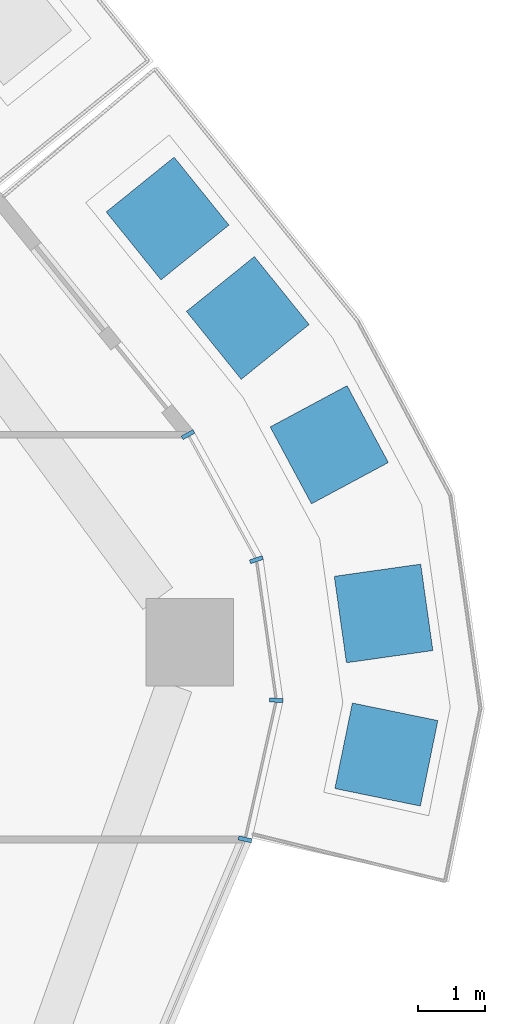
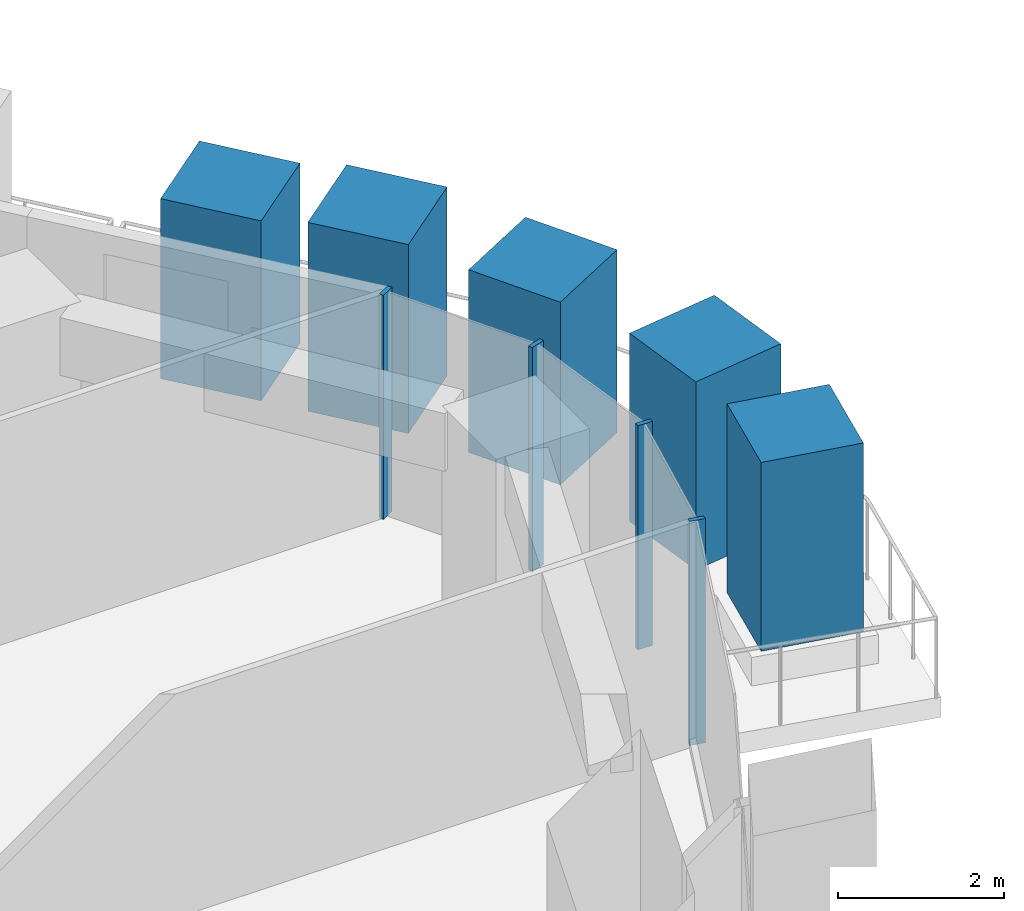
# One storey, part 9 of 24: 9 members, 1 element without a shape of its own.
"""IFC4 building model written with IfcOpenShell, lengths in metres."""

from ifc_helpers import new_model, si_unit, direction, frame, origin, origin_2d, place, context, subcontext, project, spatial, rectangle, extrude, material, layer, layer_set, material_profile, profile_set, type_object, element, aggregate, save


model = new_model("IFC4")

# Units and contexts
model_context = context("Model", 3, precision=1e-05, world=origin(), true_north=direction((0.0, 1.0)))
body_context = subcontext(model_context, "Body", "Model", "MODEL_VIEW")
ifc_project = project(units=[si_unit("LENGTHUNIT", "METRE"), si_unit("AREAUNIT", "SQUARE_METRE"), si_unit("VOLUMEUNIT", "CUBIC_METRE"), si_unit("PLANEANGLEUNIT", "RADIAN"), si_unit("MASSUNIT", "GRAM", prefix="KILO")], contexts=[model_context])

# Site, building, storey
site_placement = place(None, origin())
site = spatial("IfcSite", under=ifc_project, at=site_placement, CompositionType="ELEMENT")
building_placement = place(site_placement, origin())
building = spatial("IfcBuilding", under=site, at=building_placement, Name="Dongbaek Canopy Tower", CompositionType="ELEMENT")
storey_placement = place(building_placement, frame((0.0, 0.0, 117.39990234375)))
storey = spatial("IfcBuildingStorey", under=building, at=storey_placement, Name="L25", CompositionType="ELEMENT", Elevation=117.39990234375)

# Curtain wall, members
ifc_material_1 = material(Name="Aluminium 6063-T6 pale anodised", Category="aluminium")
ifc_layer = layer(ifc_material_1, 0.199951171875)
ifc_layer_set = layer_set([ifc_layer], Name="CW-1 unitised tower curtain wall")
curtain_wall_type = type_object("IfcCurtainWallType", Name="CW-1 unitised tower curtain wall", PredefinedType="NOTDEFINED", material=ifc_layer_set)
curtain_wall_placement = place(storey_placement, origin())
curtain_wall = element("IfcCurtainWall", 1, at=curtain_wall_placement, inside=storey, type_object=curtain_wall_type, Name="CW-1 curtain wall K0.1", PredefinedType="NOTDEFINED")
ifc_material_2 = material(Name="Aluminium 6063-T6 pale anodised", Category="aluminium")
ifc_material_profile_1 = material_profile(ifc_material_2, rectangle(XDim=0.199951171875, YDim=0.06005859375, at=origin_2d()), Name="CW-1 mullion 60 x 200")
ifc_profile_set_1 = profile_set([ifc_material_profile_1], Name="Aluminium 6063-T6 pale anodised")
member_type_1 = type_object("IfcMemberType", Name="CW-1 mullion 60 x 200", PredefinedType="MULLION", material=ifc_profile_set_1)
member_1_placement = place(storey_placement, frame((30.633544921875, 3.544677734375, 0.0), z_axis=(0.0, 0.0, 1.0), x_axis=(0.975873037295, -0.218338762206, 0.0)))
member_1 = element("IfcMember", 2, at=member_1_placement, type_object=member_type_1, Name="CW-1 mullion K0.1.1", PredefinedType="MULLION", context=body_context, shape_type="SweptSolid", body=[
    extrude(rectangle(XDim=0.199951171875, YDim=0.06005859375, at=origin_2d()), origin(), (0.0, 0.0, 1.0), 3.300048828125),
])
member_2_placement = place(storey_placement, frame((31.09716796875, 5.616455078125, 0.0), z_axis=(0.0, 0.0, 1.0), x_axis=(0.999201762695, -0.039947933954, 0.0)))
member_2 = element("IfcMember", 3, at=member_2_placement, type_object=member_type_1, Name="CW-1 mullion K0.1.2", PredefinedType="MULLION", context=body_context, shape_type="SweptSolid", body=[
    extrude(rectangle(XDim=0.199951171875, YDim=0.06005859375, at=origin_2d()), origin(), (0.0, 0.0, 1.0), 3.300048828125),
])
member_3_placement = place(storey_placement, frame((30.8017578125, 7.70947265625, 0.0), z_axis=(0.0, 0.0, 1.0), x_axis=(0.949125900251, 0.314896848942, 0.0)))
member_3 = element("IfcMember", 4, at=member_3_placement, type_object=member_type_1, Name="CW-1 mullion K0.1.3", PredefinedType="MULLION", context=body_context, shape_type="SweptSolid", body=[
    extrude(rectangle(XDim=0.199951171875, YDim=0.06005859375, at=origin_2d()), origin(), (0.0, 0.0, 1.0), 3.300048828125),
])
member_4_placement = place(storey_placement, frame((29.782958984375, 9.572021484375, 0.0), z_axis=(0.0, 0.0, 1.0), x_axis=(0.87734214374, 0.479865359052, 0.0)))
member_4 = element("IfcMember", 5, at=member_4_placement, type_object=member_type_1, Name="CW-1 mullion K0.1.4", PredefinedType="MULLION", context=body_context, shape_type="SweptSolid", body=[
    extrude(rectangle(XDim=0.199951171875, YDim=0.06005859375, at=origin_2d()), origin(), (0.0, 0.0, 1.0), 3.300048828125),
])
aggregate(curtain_wall, [member_1, member_2, member_3, member_4])

# Members
ifc_material_3 = material(Name="Concrete C40/50 planter mass with planting", Category="concrete")
ifc_material_profile_2 = material_profile(ifc_material_3, rectangle(XDim=1.300048828125, YDim=1.300048828125, at=origin_2d()), Name="Terrace PLANTER shrub mass 1300 x 1300")
ifc_profile_set_2 = profile_set([ifc_material_profile_2], Name="Concrete C40/50 planter mass with planting")
member_type_2 = type_object("IfcMemberType", Name="Terrace PLANTER shrub mass 1300 x 1300", PredefinedType="USERDEFINED", material=ifc_profile_set_2)
member_5_placement = place(storey_placement, frame((32.736572265625, 4.80859375, 0.420166015625), z_axis=(0.0, 0.0, 1.0), x_axis=(0.979684071399, -0.200547052449, 0.0)))
element("IfcMember", 6, at=member_5_placement, inside=storey, type_object=member_type_2, Name="Planter shrubs L25 5.1", ObjectType="PLANTER", PredefinedType="USERDEFINED", context=body_context, shape_type="SweptSolid", body=[
    extrude(rectangle(XDim=1.300048828125, YDim=1.300048828125, at=origin_2d()), origin(), (0.0, 0.0, 1.0), 2.780029296875),
])
member_6_placement = place(storey_placement, frame((32.69482421875, 6.909423828125, 0.420166015625), z_axis=(0.0, 0.0, 1.0), x_axis=(0.990188808024, 0.139735909712, 0.0)))
element("IfcMember", 7, at=member_6_placement, inside=storey, type_object=member_type_2, Name="Planter shrubs L25 5.2", ObjectType="PLANTER", PredefinedType="USERDEFINED", context=body_context, shape_type="SweptSolid", body=[
    extrude(rectangle(XDim=1.300048828125, YDim=1.300048828125, at=origin_2d()), origin(), (0.0, 0.0, 1.0), 2.77001953125),
])
member_7_placement = place(storey_placement, frame((31.88623046875, 9.42138671875, 0.420166015625), z_axis=(0.0, 0.0, 1.0), x_axis=(0.881090972303, 0.472946824206, 0.0)))
element("IfcMember", 8, at=member_7_placement, inside=storey, type_object=member_type_2, Name="Planter shrubs L25 5.3", ObjectType="PLANTER", PredefinedType="USERDEFINED", context=body_context, shape_type="SweptSolid", body=[
    extrude(rectangle(XDim=1.300048828125, YDim=1.300048828125, at=origin_2d()), origin(), (0.0, 0.0, 1.0), 2.68994140625),
])
member_8_placement = place(storey_placement, frame((30.673095703125, 11.309326171875, 0.420166015625), z_axis=(0.0, 0.0, 1.0), x_axis=(0.778293029355, 0.627901234637, 0.0)))
element("IfcMember", 9, at=member_8_placement, inside=storey, type_object=member_type_2, Name="Planter shrubs L25 5.4", ObjectType="PLANTER", PredefinedType="USERDEFINED", context=body_context, shape_type="SweptSolid", body=[
    extrude(rectangle(XDim=1.300048828125, YDim=1.300048828125, at=origin_2d()), origin(), (0.0, 0.0, 1.0), 2.780029296875),
])
member_9_placement = place(storey_placement, frame((29.478515625, 12.789794921875, 0.420166015625), z_axis=(0.0, 0.0, 1.0), x_axis=(0.778293029355, 0.627901234637, 0.0)))
element("IfcMember", 10, at=member_9_placement, inside=storey, type_object=member_type_2, Name="Planter shrubs L25 5.5", ObjectType="PLANTER", PredefinedType="USERDEFINED", context=body_context, shape_type="SweptSolid", body=[
    extrude(rectangle(XDim=1.300048828125, YDim=1.300048828125, at=origin_2d()), origin(), (0.0, 0.0, 1.0), 2.64990234375),
])

save(model, "model.ifc")
